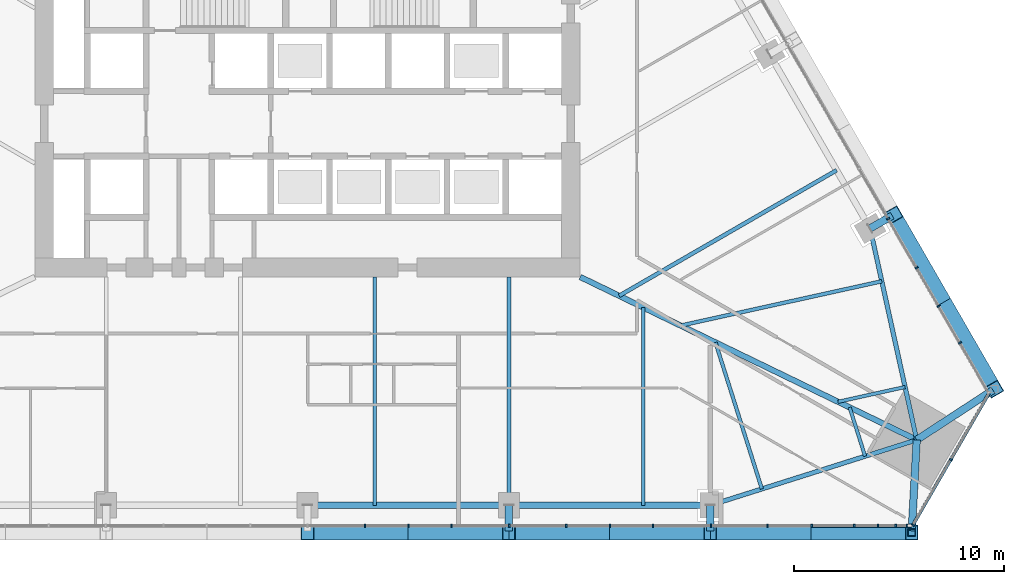
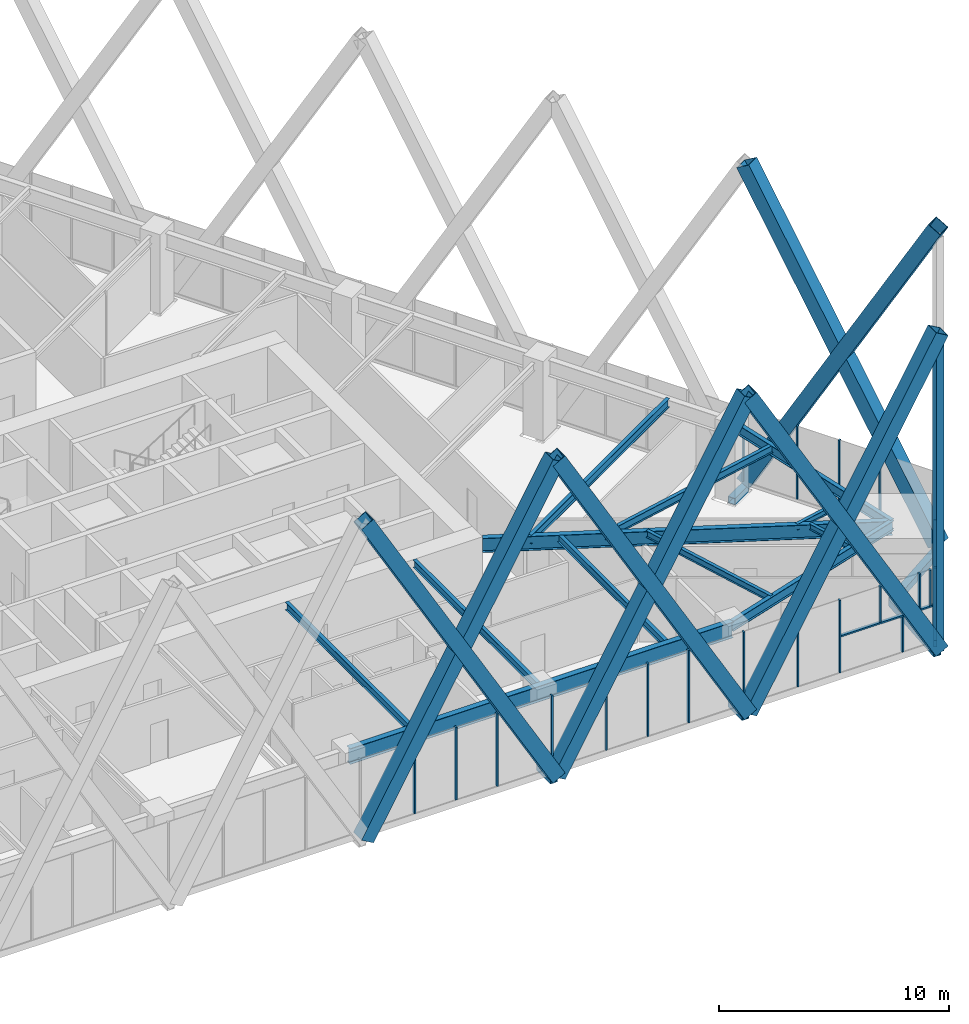
# One storey, part 7 of 26: 36 members, 12 beams, 3 elements without a shape of their own.
"""IFC4 building model written with IfcOpenShell, lengths in metres."""

from ifc_helpers import new_model, si_unit, direction, frame, origin, origin_2d, place, context, subcontext, project, spatial, rectangle, hollow_rectangle, i_section, extrude, material, layer, layer_set, material_profile, profile_set, type_object, element, aggregate, save


model = new_model("IFC4")

# Units and contexts
model_context = context("Model", 3, precision=1e-05, world=origin(), true_north=direction((0.0, 1.0)))
body_context = subcontext(model_context, "Body", "Model", "MODEL_VIEW")
ifc_project = project(units=[si_unit("LENGTHUNIT", "METRE"), si_unit("AREAUNIT", "SQUARE_METRE"), si_unit("VOLUMEUNIT", "CUBIC_METRE"), si_unit("PLANEANGLEUNIT", "RADIAN"), si_unit("MASSUNIT", "GRAM", prefix="KILO")], contexts=[model_context])

# Site, building, storey
site_placement = place(None, origin())
site = spatial("IfcSite", under=ifc_project, at=site_placement, CompositionType="ELEMENT")
building_placement = place(site_placement, origin())
building = spatial("IfcBuilding", under=site, at=building_placement, Name="Firuza Gate Tower and Library", CompositionType="ELEMENT")
storey_placement = place(building_placement, frame((0.0, 0.0, 40.0)))
storey = spatial("IfcBuildingStorey", under=building, at=storey_placement, Name="L08", CompositionType="ELEMENT", Elevation=40.0)

# Members
ifc_material_1 = material(Name="Steel S355", Category="steel")
ifc_material_profile_1 = material_profile(ifc_material_1, hollow_rectangle(XDim=0.699951171875, YDim=0.699951171875, WallThickness=0.030029296875, at=origin_2d()))
ifc_profile_set_1 = profile_set([ifc_material_profile_1], Name="Steel S355")
member_type_1 = type_object("IfcMemberType", Name="BU700x700x30 Lattice brace", PredefinedType="BRACE", material=ifc_profile_set_1)
for number, where, z_axis, x_axis, name in (
    (1, (75.0, 53.8154296875, 0.0), (0.49614165595, 0.0, 0.868241589209), (0.0, 1.0, 0.0), "Lattice brace S 1.4R"),
    (2, (84.60009765625, 53.8154296875, 0.0), (-0.49614165595, 0.0, 0.868241589209), (0.0, -1.0, 0.0), "Lattice brace S 1.4L"),
):
    element("IfcMember", number, at=place(storey_placement, frame(where, z_axis=z_axis, x_axis=x_axis)), inside=storey, type_object=member_type_1, Name=name, PredefinedType="BRACE", context=body_context, shape_type="SweptSolid", body=[
        extrude(hollow_rectangle(XDim=0.699951171875, YDim=0.699951171875, WallThickness=0.030029296875, at=origin_2d()), origin(), (0.0, 0.0, 1.0), 19.349609375),
    ])
for number, where, z_axis, x_axis, name in (
    (3, (84.60009765625, 53.8154296875, 0.0), (0.496132144311, 0.0, 0.868247024401), (0.0, 1.0, 0.0), "Lattice brace S 1.5R"),
    (4, (94.199951171875, 53.8154296875, 0.0), (-0.496132144311, 0.0, 0.868247024401), (0.0, -1.0, 0.0), "Lattice brace S 1.5L"),
):
    element("IfcMember", number, at=place(storey_placement, frame(where, z_axis=z_axis, x_axis=x_axis)), inside=storey, type_object=member_type_1, Name=name, PredefinedType="BRACE", context=body_context, shape_type="SweptSolid", body=[
        extrude(hollow_rectangle(XDim=0.699951171875, YDim=0.699951171875, WallThickness=0.030029296875, at=origin_2d()), origin(), (0.0, 0.0, 1.0), 19.349365234375),
    ])
for number, where, z_axis, x_axis, name in (
    (5, (94.199951171875, 53.8154296875, 0.0), (0.49614165595, 0.0, 0.868241589209), (0.0, 1.0, 0.0), "Lattice brace S 1.6R"),
    (6, (103.800048828125, 53.8154296875, 0.0), (-0.49614165595, 0.0, 0.868241589209), (0.0, -1.0, 0.0), "Lattice brace S 1.6L"),
):
    element("IfcMember", number, at=place(storey_placement, frame(where, z_axis=z_axis, x_axis=x_axis)), inside=storey, type_object=member_type_1, Name=name, PredefinedType="BRACE", context=body_context, shape_type="SweptSolid", body=[
        extrude(hollow_rectangle(XDim=0.699951171875, YDim=0.699951171875, WallThickness=0.030029296875, at=origin_2d()), origin(), (0.0, 0.0, 1.0), 19.349609375),
    ])
for number, where, z_axis, x_axis, name in (
    (7, (107.746337890625, 60.65087890625, 0.0), (-0.24807197236, 0.429662523513, 0.868245594528), (-0.866019993635, -0.500009370536, 0.0), "Lattice brace E 1.1R"),
    (8, (102.9462890625, 68.964599609375, 0.0), (0.24807197236, -0.429662523513, 0.868245594528), (0.866019993635, 0.500009370536, 0.0), "Lattice brace E 1.1L"),
):
    element("IfcMember", number, at=place(storey_placement, frame(where, z_axis=z_axis, x_axis=x_axis)), inside=storey, type_object=member_type_1, Name=name, PredefinedType="BRACE", context=body_context, shape_type="SweptSolid", body=[
        extrude(hollow_rectangle(XDim=0.699951171875, YDim=0.699951171875, WallThickness=0.030029296875, at=origin_2d()), origin(), (0.0, 0.0, 1.0), 19.349365234375),
    ])

# Curtain wall, members
ifc_material_2 = material(Name="Aluminium 6063-T6", Category="aluminium")
ifc_layer_1 = layer(ifc_material_2, 0.14990234375)
ifc_layer_set_1 = layer_set([ifc_layer_1], Name="Unitised curtain wall, offices")
curtain_wall_type_1 = type_object("IfcCurtainWallType", Name="Unitised curtain wall, offices", PredefinedType="NOTDEFINED", material=ifc_layer_set_1)
placement = place(storey_placement, origin())
curtain_wall_1 = element("IfcCurtainWall", 9, at=placement, inside=storey, type_object=curtain_wall_type_1, Name="CW1 L08 S face", PredefinedType="NOTDEFINED")
ifc_material_3 = material(Name="Aluminium 6063-T6", Category="aluminium")
ifc_material_profile_2 = material_profile(ifc_material_3, rectangle(XDim=0.14990234375, YDim=0.080078125, at=origin_2d()))
ifc_profile_set_2 = profile_set([ifc_material_profile_2], Name="Aluminium 6063-T6")
member_type_2 = type_object("IfcMemberType", Name="Curtain wall mullion 80x150", PredefinedType="MULLION", material=ifc_profile_set_2)
member_1_placement = place(storey_placement, frame((79.80712890625, 54.140380859375, 0.14990234375), z_axis=(0.0, 0.0, 1.0), x_axis=(0.0, 1.0, 0.0)))
member_1 = element("IfcMember", 10, at=member_1_placement, type_object=member_type_2, Name="Mullion", PredefinedType="MULLION", context=body_context, shape_type="SweptSolid", body=[
    extrude(rectangle(XDim=0.14990234375, YDim=0.080078125, at=origin_2d()), origin(), (0.0, 0.0, 1.0), 3.85009765625),
])
member_2_placement = place(storey_placement, frame((84.614501953125, 54.140380859375, 0.14990234375), z_axis=(0.0, 0.0, 1.0), x_axis=(0.0, 1.0, 0.0)))
member_2 = element("IfcMember", 11, at=member_2_placement, type_object=member_type_2, Name="Mullion", PredefinedType="MULLION", context=body_context, shape_type="SweptSolid", body=[
    extrude(rectangle(XDim=0.14990234375, YDim=0.080078125, at=origin_2d()), origin(), (0.0, 0.0, 1.0), 3.85009765625),
])
member_3_placement = place(storey_placement, frame((89.421630859375, 54.140380859375, 0.14990234375), z_axis=(0.0, 0.0, 1.0), x_axis=(0.0, 1.0, 0.0)))
member_3 = element("IfcMember", 12, at=member_3_placement, type_object=member_type_2, Name="Mullion", PredefinedType="MULLION", context=body_context, shape_type="SweptSolid", body=[
    extrude(rectangle(XDim=0.14990234375, YDim=0.080078125, at=origin_2d()), origin(), (0.0, 0.0, 1.0), 3.85009765625),
])
member_4_placement = place(storey_placement, frame((94.228759765625, 54.140380859375, 0.14990234375), z_axis=(0.0, 0.0, 1.0), x_axis=(0.0, 1.0, 0.0)))
member_4 = element("IfcMember", 13, at=member_4_placement, type_object=member_type_2, Name="Mullion", PredefinedType="MULLION", context=body_context, shape_type="SweptSolid", body=[
    extrude(rectangle(XDim=0.14990234375, YDim=0.080078125, at=origin_2d()), origin(), (0.0, 0.0, 1.0), 3.85009765625),
])
member_5_placement = place(storey_placement, frame((99.0361328125, 54.140380859375, 0.14990234375), z_axis=(0.0, 0.0, 1.0), x_axis=(0.0, 1.0, 0.0)))
member_5 = element("IfcMember", 14, at=member_5_placement, type_object=member_type_2, Name="Mullion", PredefinedType="MULLION", context=body_context, shape_type="SweptSolid", body=[
    extrude(rectangle(XDim=0.14990234375, YDim=0.080078125, at=origin_2d()), origin(), (0.0, 0.0, 1.0), 3.85009765625),
])
member_6_placement = place(storey_placement, frame((77.73388671875, 54.140380859375, 0.14990234375), z_axis=(0.0, 0.0, 1.0), x_axis=(0.0, 1.0, 0.0)))
member_6 = element("IfcMember", 15, at=member_6_placement, type_object=member_type_2, Name="Mullion", PredefinedType="MULLION", context=body_context, shape_type="SweptSolid", body=[
    extrude(rectangle(XDim=0.14990234375, YDim=0.080078125, at=origin_2d()), origin(), (0.0, 0.0, 1.0), 3.85009765625),
])
member_7_placement = place(storey_placement, frame((81.8662109375, 54.140380859375, 0.14990234375), z_axis=(0.0, 0.0, 1.0), x_axis=(0.0, 1.0, 0.0)))
member_7 = element("IfcMember", 16, at=member_7_placement, type_object=member_type_2, Name="Mullion", PredefinedType="MULLION", context=body_context, shape_type="SweptSolid", body=[
    extrude(rectangle(XDim=0.14990234375, YDim=0.080078125, at=origin_2d()), origin(), (0.0, 0.0, 1.0), 3.85009765625),
])
member_8_placement = place(storey_placement, frame((87.333740234375, 54.140380859375, 0.14990234375), z_axis=(0.0, 0.0, 1.0), x_axis=(0.0, 1.0, 0.0)))
member_8 = element("IfcMember", 17, at=member_8_placement, type_object=member_type_2, Name="Mullion", PredefinedType="MULLION", context=body_context, shape_type="SweptSolid", body=[
    extrude(rectangle(XDim=0.14990234375, YDim=0.080078125, at=origin_2d()), origin(), (0.0, 0.0, 1.0), 3.85009765625),
])
member_9_placement = place(storey_placement, frame((91.466064453125, 54.140380859375, 0.14990234375), z_axis=(0.0, 0.0, 1.0), x_axis=(0.0, 1.0, 0.0)))
member_9 = element("IfcMember", 18, at=member_9_placement, type_object=member_type_2, Name="Mullion", PredefinedType="MULLION", context=body_context, shape_type="SweptSolid", body=[
    extrude(rectangle(XDim=0.14990234375, YDim=0.080078125, at=origin_2d()), origin(), (0.0, 0.0, 1.0), 3.85009765625),
])
member_10_placement = place(storey_placement, frame((96.933837890625, 54.140380859375, 0.14990234375), z_axis=(0.0, 0.0, 1.0), x_axis=(0.0, 1.0, 0.0)))
member_10 = element("IfcMember", 19, at=member_10_placement, type_object=member_type_2, Name="Mullion", PredefinedType="MULLION", context=body_context, shape_type="SweptSolid", body=[
    extrude(rectangle(XDim=0.14990234375, YDim=0.080078125, at=origin_2d()), origin(), (0.0, 0.0, 1.0), 3.85009765625),
])
member_11_placement = place(storey_placement, frame((102.18896484375, 54.140380859375, 0.14990234375), z_axis=(0.0, 0.0, 1.0), x_axis=(0.0, 1.0, 0.0)))
member_11 = element("IfcMember", 20, at=member_11_placement, type_object=member_type_2, Name="Mullion", PredefinedType="MULLION", context=body_context, shape_type="SweptSolid", body=[
    extrude(rectangle(XDim=0.14990234375, YDim=0.080078125, at=origin_2d()), origin(), (0.0, 0.0, 1.0), 1.885009765625),
])
member_12_placement = place(storey_placement, frame((101.066162109375, 54.140380859375, 2.114990234375), z_axis=(0.0, 0.0, 1.0), x_axis=(0.0, 1.0, 0.0)))
member_12 = element("IfcMember", 21, at=member_12_placement, type_object=member_type_2, Name="Mullion", PredefinedType="MULLION", context=body_context, shape_type="SweptSolid", body=[
    extrude(rectangle(XDim=0.14990234375, YDim=0.080078125, at=origin_2d()), origin(), (0.0, 0.0, 1.0), 1.885009765625),
])
member_13_placement = place(storey_placement, frame((103.03955078125, 54.140380859375, 2.114990234375), z_axis=(0.0, 0.0, 1.0), x_axis=(0.0, 1.0, 0.0)))
member_13 = element("IfcMember", 22, at=member_13_placement, type_object=member_type_2, Name="Mullion", PredefinedType="MULLION", context=body_context, shape_type="SweptSolid", body=[
    extrude(rectangle(XDim=0.14990234375, YDim=0.080078125, at=origin_2d()), origin(), (0.0, 0.0, 1.0), 1.885009765625),
])
member_14_placement = place(storey_placement, frame((103.5771484375, 54.140380859375, 2.114990234375), z_axis=(0.0, 0.0, 1.0), x_axis=(0.0, 1.0, 0.0)))
member_14 = element("IfcMember", 23, at=member_14_placement, type_object=member_type_2, Name="Mullion", PredefinedType="MULLION", context=body_context, shape_type="SweptSolid", body=[
    extrude(rectangle(XDim=0.14990234375, YDim=0.080078125, at=origin_2d()), origin(), (0.0, 0.0, 1.0), 1.885009765625),
])

ifc_material_4 = material(Name="Aluminium 6063-T6", Category="aluminium")
ifc_layer_2 = layer(ifc_material_4, 0.14990234375)
ifc_layer_set_2 = layer_set([ifc_layer_2], Name="Corner curtain wall, chamfers")
curtain_wall_type_2 = type_object("IfcCurtainWallType", Name="Corner curtain wall, chamfers", PredefinedType="NOTDEFINED", material=ifc_layer_set_2)
curtain_wall_2 = element("IfcCurtainWall", 24, at=placement, inside=storey, type_object=curtain_wall_type_2, Name="CW4 L08 SE corner", PredefinedType="NOTDEFINED")
member_15_placement = place(storey_placement, frame((103.86328125, 54.175048828125, 0.14990234375), z_axis=(0.0, 0.0, 1.0), x_axis=(-0.866025403784, 0.5, 0.0)))
member_15 = element("IfcMember", 25, at=member_15_placement, type_object=member_type_2, Name="Mullion", PredefinedType="MULLION", context=body_context, shape_type="SweptSolid", body=[
    extrude(rectangle(XDim=0.14990234375, YDim=0.080078125, at=origin_2d()), origin(), (0.0, 0.0, 1.0), 3.85009765625),
])
member_16_placement = place(storey_placement, frame((105.6650390625, 57.295654296875, 0.14990234375), z_axis=(0.0, 0.0, 1.0), x_axis=(-0.866025403784, 0.5, 0.0)))
member_16 = element("IfcMember", 26, at=member_16_placement, type_object=member_type_2, Name="Mullion", PredefinedType="MULLION", context=body_context, shape_type="SweptSolid", body=[
    extrude(rectangle(XDim=0.14990234375, YDim=0.080078125, at=origin_2d()), origin(), (0.0, 0.0, 1.0), 3.85009765625),
])

curtain_wall_3 = element("IfcCurtainWall", 27, at=placement, inside=storey, type_object=curtain_wall_type_1, Name="CW1 L08 E face", PredefinedType="NOTDEFINED")
member_17_placement = place(storey_placement, frame((105.0830078125, 64.614013671875, 0.14990234375), z_axis=(0.0, 0.0, 1.0), x_axis=(-0.866025403784, -0.5, 0.0)))
member_17 = element("IfcMember", 28, at=member_17_placement, type_object=member_type_2, Name="Mullion", PredefinedType="MULLION", context=body_context, shape_type="SweptSolid", body=[
    extrude(rectangle(XDim=0.14990234375, YDim=0.080078125, at=origin_2d()), origin(), (0.0, 0.0, 1.0), 3.85009765625),
])
member_18_placement = place(storey_placement, frame((102.679443359375, 68.777099609375, 0.14990234375), z_axis=(0.0, 0.0, 1.0), x_axis=(-0.866025403784, -0.5, 0.0)))
member_18 = element("IfcMember", 29, at=member_18_placement, type_object=member_type_2, Name="Mullion", PredefinedType="MULLION", context=body_context, shape_type="SweptSolid", body=[
    extrude(rectangle(XDim=0.14990234375, YDim=0.080078125, at=origin_2d()), origin(), (0.0, 0.0, 1.0), 3.85009765625),
])
member_19_placement = place(storey_placement, frame((106.09814453125, 62.85595703125, 0.14990234375), z_axis=(0.0, 0.0, 1.0), x_axis=(-0.866025403784, -0.5, 0.0)))
member_19 = element("IfcMember", 30, at=member_19_placement, type_object=member_type_2, Name="Mullion", PredefinedType="MULLION", context=body_context, shape_type="SweptSolid", body=[
    extrude(rectangle(XDim=0.14990234375, YDim=0.080078125, at=origin_2d()), origin(), (0.0, 0.0, 1.0), 3.85009765625),
])
member_20_placement = place(storey_placement, frame((104.031982421875, 66.4345703125, 0.14990234375), z_axis=(0.0, 0.0, 1.0), x_axis=(-0.866025403784, -0.5, 0.0)))
member_20 = element("IfcMember", 31, at=member_20_placement, type_object=member_type_2, Name="Mullion", PredefinedType="MULLION", context=body_context, shape_type="SweptSolid", body=[
    extrude(rectangle(XDim=0.14990234375, YDim=0.080078125, at=origin_2d()), origin(), (0.0, 0.0, 1.0), 3.85009765625),
])
aggregate(curtain_wall_3, [member_17, member_18, member_19, member_20])

# Member
ifc_material_5 = material(Name="Aluminium 6063-T6", Category="aluminium")
ifc_material_profile_3 = material_profile(ifc_material_5, rectangle(XDim=0.14990234375, YDim=0.35009765625, at=origin_2d()))
ifc_profile_set_3 = profile_set([ifc_material_profile_3], Name="Aluminium 6063-T6")
member_type_3 = type_object("IfcMemberType", Name="Curtain wall transom 350x150", PredefinedType="USERDEFINED", material=ifc_profile_set_3)
member_21_placement = place(storey_placement, frame((103.84326171875, 54.140380859375, -0.02490234375), z_axis=(0.500005719219, 0.866022101766, 0.0), x_axis=(-0.866022101766, 0.500005719219, 0.0)))
member_21 = element("IfcMember", 32, at=member_21_placement, type_object=member_type_3, Name="Transom", ObjectType="TRANSOM", PredefinedType="USERDEFINED", context=body_context, shape_type="SweptSolid", body=[
    extrude(rectangle(XDim=0.14990234375, YDim=0.35009765625, at=origin_2d()), origin(), (0.0, 0.0, 1.0), 7.28662109375),
])

aggregate(curtain_wall_2, [member_15, member_16, member_21])

ifc_material_6 = material(Name="Aluminium 6063-T6", Category="aluminium")
ifc_material_profile_4 = material_profile(ifc_material_6, rectangle(XDim=0.14990234375, YDim=0.080078125, at=origin_2d()))
ifc_profile_set_4 = profile_set([ifc_material_profile_4], Name="Aluminium 6063-T6")
member_type_4 = type_object("IfcMemberType", Name="Curtain wall transom 80x150", PredefinedType="USERDEFINED", material=ifc_profile_set_4)
member_22_placement = place(storey_placement, frame((99.076171875, 54.140380859375, 2.074951171875), z_axis=(1.0, 0.0, 0.0), x_axis=(0.0, 1.0, 0.0)))
member_22 = element("IfcMember", 33, at=member_22_placement, type_object=member_type_4, Name="Transom", ObjectType="TRANSOM", PredefinedType="USERDEFINED", context=body_context, shape_type="SweptSolid", body=[
    extrude(rectangle(XDim=0.14990234375, YDim=0.080078125, at=origin_2d()), origin(), (0.0, 0.0, 1.0), 4.72705078125),
])

aggregate(curtain_wall_1, [member_1, member_2, member_3, member_4, member_5, member_6, member_7, member_8, member_9, member_10, member_11, member_12, member_13, member_14, member_22])

# Members
ifc_material_7 = material(Name="Steel S355", Category="steel")
ifc_material_profile_5 = material_profile(ifc_material_7, hollow_rectangle(XDim=0.355712890625, YDim=0.355712890625, WallThickness=0.014892578125, at=origin_2d()))
ifc_profile_set_5 = profile_set([ifc_material_profile_5], Name="Steel S355")
member_type_5 = type_object("IfcMemberType", Name="HSS356x356x16 Lattice corner stile", PredefinedType="BRACE", material=ifc_profile_set_5)
member_23_placement = place(storey_placement, frame((103.800048828125, 53.8154296875, -0.139892578125), z_axis=(0.0, 0.0, 1.0), x_axis=(1.0, 0.0, 0.0)))
element("IfcMember", 34, at=member_23_placement, inside=storey, type_object=member_type_5, Name="Lattice corner stile S 1.B", PredefinedType="BRACE", context=body_context, shape_type="SweptSolid", body=[
    extrude(hollow_rectangle(XDim=0.355712890625, YDim=0.355712890625, WallThickness=0.014892578125, at=origin_2d()), origin(), (0.0, 0.0, 1.0), 16.43994140625),
])
ifc_material_8 = material(Name="Steel S355", Category="steel")
ifc_material_profile_6 = material_profile(ifc_material_8, hollow_rectangle(XDim=0.355712890625, YDim=0.355712890625, WallThickness=0.014892578125, at=origin_2d()))
ifc_profile_set_6 = profile_set([ifc_material_profile_6], Name="Steel S355")
member_type_6 = type_object("IfcMemberType", Name="HSS356x356x16 Lattice node tie", PredefinedType="BRACE", material=ifc_profile_set_6)
member_24_placement = place(storey_placement, frame((101.820556640625, 68.314697265625, -0.340087890625), z_axis=(0.866058436235, 0.499942781752, 0.0), x_axis=(-0.499942781752, 0.866058436235, 0.0)))
element("IfcMember", 35, at=member_24_placement, inside=storey, type_object=member_type_6, Name="Lattice node tie E L08 6", PredefinedType="BRACE", context=body_context, shape_type="SweptSolid", body=[
    extrude(hollow_rectangle(XDim=0.355712890625, YDim=0.355712890625, WallThickness=0.014892578125, at=origin_2d()), origin(), (0.0, 0.0, 1.0), 1.215087890625),
])
member_25_placement = place(storey_placement, frame((104.041259765625, 58.233154296875, -0.340087890625), z_axis=(0.837497527492, 0.546441114343, 0.0), x_axis=(-0.546441114343, 0.837497527492, 0.0)))
element("IfcMember", 36, at=member_25_placement, inside=storey, type_object=member_type_6, Name="Lattice node tie E L08 7", PredefinedType="BRACE", context=body_context, shape_type="SweptSolid", body=[
    extrude(hollow_rectangle(XDim=0.355712890625, YDim=0.355712890625, WallThickness=0.014892578125, at=origin_2d()), origin(), (0.0, 0.0, 1.0), 4.339111328125),
])
for number, where, z_axis, x_axis, name in (
    (37, (84.60009765625, 55.115478515625, -0.340087890625), (0.0, -1.0, 0.0), (1.0, 0.0, 0.0), "Lattice node tie S L08 12"),
    (38, (94.199951171875, 55.115478515625, -0.340087890625), (0.0, -1.0, 0.0), (1.0, 0.0, 0.0), "Lattice node tie S L08 13"),
):
    element("IfcMember", number, at=place(storey_placement, frame(where, z_axis=z_axis, x_axis=x_axis)), inside=storey, type_object=member_type_6, Name=name, PredefinedType="BRACE", context=body_context, shape_type="SweptSolid", body=[
        extrude(hollow_rectangle(XDim=0.355712890625, YDim=0.355712890625, WallThickness=0.014892578125, at=origin_2d()), origin(), (0.0, 0.0, 1.0), 1.215087890625),
    ])
member_26_placement = place(storey_placement, frame((104.041259765625, 58.233154296875, -0.340087890625), z_axis=(-0.05451650724, -0.998512869441, 0.0), x_axis=(0.998512869441, -0.05451650724, 0.0)))
element("IfcMember", 39, at=member_26_placement, inside=storey, type_object=member_type_6, Name="Lattice node tie S L08 14", PredefinedType="BRACE", context=body_context, shape_type="SweptSolid", body=[
    extrude(hollow_rectangle(XDim=0.355712890625, YDim=0.355712890625, WallThickness=0.014892578125, at=origin_2d()), origin(), (0.0, 0.0, 1.0), 4.33935546875),
])

# Beams
ifc_material_9 = material(Name="Steel S355", Category="steel")
ifc_material_profile_7 = material_profile(ifc_material_9, i_section(OverallWidth=0.1650390625, OverallDepth=0.31005859375, WebThickness=0.005859375, FlangeThickness=0.009765625, at=origin_2d()))
ifc_profile_set_7 = profile_set([ifc_material_profile_7], Name="Steel S355")
beam_type_1 = type_object("IfcBeamType", Name="W310x39 Floor beam", PredefinedType="JOIST", material=ifc_profile_set_7)
beam_1_placement = place(storey_placement, frame((101.580810546875, 57.45361328125, 3.844970703125), z_axis=(-0.30197349393, 0.953316321566, 0.0), x_axis=(-0.953316321566, -0.30197349393, 0.0)))
element("IfcBeam", 40, at=beam_1_placement, inside=storey, type_object=beam_type_1, Name="Floor beam L08 s31", PredefinedType="JOIST", context=body_context, shape_type="SweptSolid", body=[
    extrude(i_section(OverallWidth=0.1650390625, OverallDepth=0.31005859375, WebThickness=0.005859375, FlangeThickness=0.009765625, at=origin_2d()), origin(), (0.0, 0.0, 1.0), 2.441650390625),
])
beam_2_placement = place(storey_placement, frame((103.486083984375, 60.75341796875, 3.844970703125), z_axis=(-0.976601243751, -0.215058156564, 0.0), x_axis=(0.215058156564, -0.976601243751, 0.0)))
element("IfcBeam", 41, at=beam_2_placement, inside=storey, type_object=beam_type_1, Name="Floor beam L08 s40", PredefinedType="JOIST", context=body_context, shape_type="SweptSolid", body=[
    extrude(i_section(OverallWidth=0.1650390625, OverallDepth=0.31005859375, WebThickness=0.005859375, FlangeThickness=0.009765625, at=origin_2d()), origin(), (0.0, 0.0, 1.0), 3.27294921875),
])
ifc_material_10 = material(Name="Steel S355", Category="steel")
ifc_material_profile_8 = material_profile(ifc_material_10, i_section(OverallWidth=0.1708984375, OverallDepth=0.35498046875, WebThickness=0.007080078125, FlangeThickness=0.01171875, at=origin_2d()))
ifc_profile_set_8 = profile_set([ifc_material_profile_8], Name="Steel S355")
beam_type_2 = type_object("IfcBeamType", Name="W360x51 Floor beam", PredefinedType="JOIST", material=ifc_profile_set_8)
beam_3_placement = place(storey_placement, frame((96.660400390625, 55.894775390625, 3.822509765625), z_axis=(-0.302024477968, 0.953300170307, 0.0), x_axis=(-0.953300170307, -0.302024477968, 0.0)))
element("IfcBeam", 42, at=beam_3_placement, inside=storey, type_object=beam_type_2, Name="Floor beam L08 s30", PredefinedType="JOIST", context=body_context, shape_type="SweptSolid", body=[
    extrude(i_section(OverallWidth=0.1708984375, OverallDepth=0.35498046875, WebThickness=0.007080078125, FlangeThickness=0.01171875, at=origin_2d()), origin(), (0.0, 0.0, 1.0), 7.3251953125),
])
ifc_material_11 = material(Name="Steel S355", Category="steel")
ifc_material_profile_9 = material_profile(ifc_material_11, i_section(OverallWidth=0.177978515625, OverallDepth=0.406982421875, WebThickness=0.0078125, FlangeThickness=0.0126953125, at=origin_2d()))
ifc_profile_set_9 = profile_set([ifc_material_profile_9], Name="Steel S355")
beam_type_3 = type_object("IfcBeamType", Name="W410x60 Floor beam", PredefinedType="JOIST", material=ifc_profile_set_9)
for number, where, z_axis, x_axis, name in (
    (43, (78.199951171875, 55.115478515625, 3.79638671875), (0.0, 1.0, 0.0), (-1.0, 0.0, 0.0), "Floor beam L08 s23"),
    (44, (84.60009765625, 55.115478515625, 3.79638671875), (0.0, 1.0, 0.0), (-1.0, 0.0, 0.0), "Floor beam L08 s24"),
):
    element("IfcBeam", number, at=place(storey_placement, frame(where, z_axis=z_axis, x_axis=x_axis)), inside=storey, type_object=beam_type_3, Name=name, PredefinedType="JOIST", context=body_context, shape_type="SweptSolid", body=[
        extrude(i_section(OverallWidth=0.177978515625, OverallDepth=0.406982421875, WebThickness=0.0078125, FlangeThickness=0.0126953125, at=origin_2d()), origin(), (0.0, 0.0, 1.0), 10.884521484375),
    ])
beam_4_placement = place(storey_placement, frame((91.0, 55.115478515625, 3.79638671875), z_axis=(0.0, 1.0, 0.0), x_axis=(-1.0, 0.0, 0.0)))
element("IfcBeam", 45, at=beam_4_placement, inside=storey, type_object=beam_type_3, Name="Floor beam L08 s25", PredefinedType="JOIST", context=body_context, shape_type="SweptSolid", body=[
    extrude(i_section(OverallWidth=0.177978515625, OverallDepth=0.406982421875, WebThickness=0.0078125, FlangeThickness=0.0126953125, at=origin_2d()), origin(), (0.0, 0.0, 1.0), 9.431884765625),
])
beam_5_placement = place(storey_placement, frame((102.375732421875, 65.794189453125, 3.79638671875), z_axis=(-0.97658964753, -0.215110809441, 0.0), x_axis=(0.215110809441, -0.97658964753, 0.0)))
element("IfcBeam", 46, at=beam_5_placement, inside=storey, type_object=beam_type_3, Name="Floor beam L08 s41", PredefinedType="JOIST", context=body_context, shape_type="SweptSolid", body=[
    extrude(i_section(OverallWidth=0.177978515625, OverallDepth=0.406982421875, WebThickness=0.0078125, FlangeThickness=0.0126953125, at=origin_2d()), origin(), (0.0, 0.0, 1.0), 9.818359375),
])
ifc_material_12 = material(Name="Steel S355", Category="steel")
ifc_material_profile_10 = material_profile(ifc_material_12, i_section(OverallWidth=0.18994140625, OverallDepth=0.45703125, WebThickness=0.009033203125, FlangeThickness=0.014404296875, at=origin_2d()))
ifc_profile_set_10 = profile_set([ifc_material_profile_10], Name="Steel S355")
beam_type_4 = type_object("IfcBeamType", Name="W460x74 Floor beam", PredefinedType="JOIST", material=ifc_profile_set_10)
beam_6_placement = place(storey_placement, frame((100.220458984375, 71.0859375, 3.771484375), z_axis=(-0.866020154196, -0.500009092443, 0.0), x_axis=(0.500009092443, -0.866020154196, 0.0)))
element("IfcBeam", 47, at=beam_6_placement, inside=storey, type_object=beam_type_4, Name="Floor beam L08 s50", PredefinedType="JOIST", context=body_context, shape_type="SweptSolid", body=[
    extrude(i_section(OverallWidth=0.18994140625, OverallDepth=0.45703125, WebThickness=0.009033203125, FlangeThickness=0.014404296875, at=origin_2d()), origin(), (0.0, 0.0, 1.0), 11.968505859375),
])
ifc_material_13 = material(Name="Steel S355", Category="steel")
ifc_material_profile_11 = material_profile(ifc_material_13, i_section(OverallWidth=0.212890625, OverallDepth=0.5390625, WebThickness=0.01171875, FlangeThickness=0.018798828125, at=origin_2d()))
ifc_profile_set_11 = profile_set([ifc_material_profile_11], Name="Steel S355")
beam_type_5 = type_object("IfcBeamType", Name="W530x109 Edge beam", PredefinedType="SPANDREL", material=ifc_profile_set_11)
for number, where, z_axis, x_axis, name in (
    (48, (94.199951171875, 55.115478515625, 3.73046875), (0.953307052276, 0.302002755087, 0.0), (-0.302002755087, 0.953307052276, 0.0), "Edge beam L08 e30"),
    (49, (104.041259765625, 58.233154296875, 3.73046875), (-0.215117130091, 0.976588255275, 0.0), (-0.976588255275, -0.215117130091, 0.0), "Edge beam L08 e40"),
):
    element("IfcBeam", number, at=place(storey_placement, frame(where, z_axis=z_axis, x_axis=x_axis)), inside=storey, type_object=beam_type_5, Name=name, PredefinedType="SPANDREL", context=body_context, shape_type="SweptSolid", body=[
        extrude(i_section(OverallWidth=0.212890625, OverallDepth=0.5390625, WebThickness=0.01171875, FlangeThickness=0.018798828125, at=origin_2d()), origin(), (0.0, 0.0, 1.0), 10.3232421875),
    ])
ifc_material_14 = material(Name="Steel S355", Category="steel")
ifc_material_profile_12 = material_profile(ifc_material_14, i_section(OverallWidth=0.264892578125, OverallDepth=0.7529296875, WebThickness=0.01318359375, FlangeThickness=0.01708984375, at=origin_2d()))
ifc_profile_set_12 = profile_set([ifc_material_profile_12], Name="Steel S355")
beam_type_6 = type_object("IfcBeamType", Name="W760x147 Girder", PredefinedType="BEAM", material=ifc_profile_set_12)
beam_7_placement = place(storey_placement, frame((104.041259765625, 58.233154296875, 3.62353515625), z_axis=(-0.900050421894, 0.43578577082, 0.0), x_axis=(-0.43578577082, -0.900050421894, 0.0)))
element("IfcBeam", 50, at=beam_7_placement, inside=storey, type_object=beam_type_6, Name="Girder L08 gSE", PredefinedType="BEAM", context=body_context, shape_type="SweptSolid", body=[
    extrude(i_section(OverallWidth=0.264892578125, OverallDepth=0.7529296875, WebThickness=0.01318359375, FlangeThickness=0.01708984375, at=origin_2d()), origin(), (0.0, 0.0, 1.0), 17.822509765625),
])
ifc_material_15 = material(Name="Steel S355", Category="steel")
ifc_material_profile_13 = material_profile(ifc_material_15, i_section(OverallWidth=0.2919921875, OverallDepth=0.8349609375, WebThickness=0.013916015625, FlangeThickness=0.018798828125, at=origin_2d()))
ifc_profile_set_13 = profile_set([ifc_material_profile_13], Name="Steel S355")
beam_type_7 = type_object("IfcBeamType", Name="W840x176 Edge beam", PredefinedType="SPANDREL", material=ifc_profile_set_13)
beam_8_placement = place(storey_placement, frame((75.0, 55.115478515625, 3.58251953125), z_axis=(1.0, 0.0, 0.0), x_axis=(0.0, 1.0, 0.0)))
element("IfcBeam", 51, at=beam_8_placement, inside=storey, type_object=beam_type_7, Name="Edge beam L08 e22", PredefinedType="SPANDREL", context=body_context, shape_type="SweptSolid", body=[
    extrude(i_section(OverallWidth=0.2919921875, OverallDepth=0.8349609375, WebThickness=0.013916015625, FlangeThickness=0.018798828125, at=origin_2d()), origin(), (0.0, 0.0, 1.0), 19.199951171875),
])

save(model, "model.ifc")
